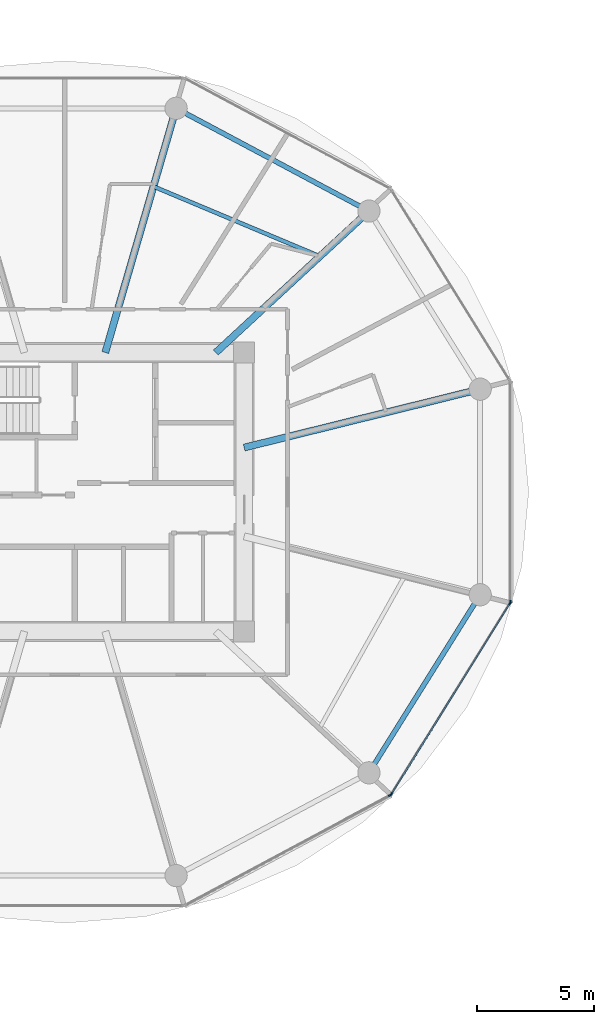
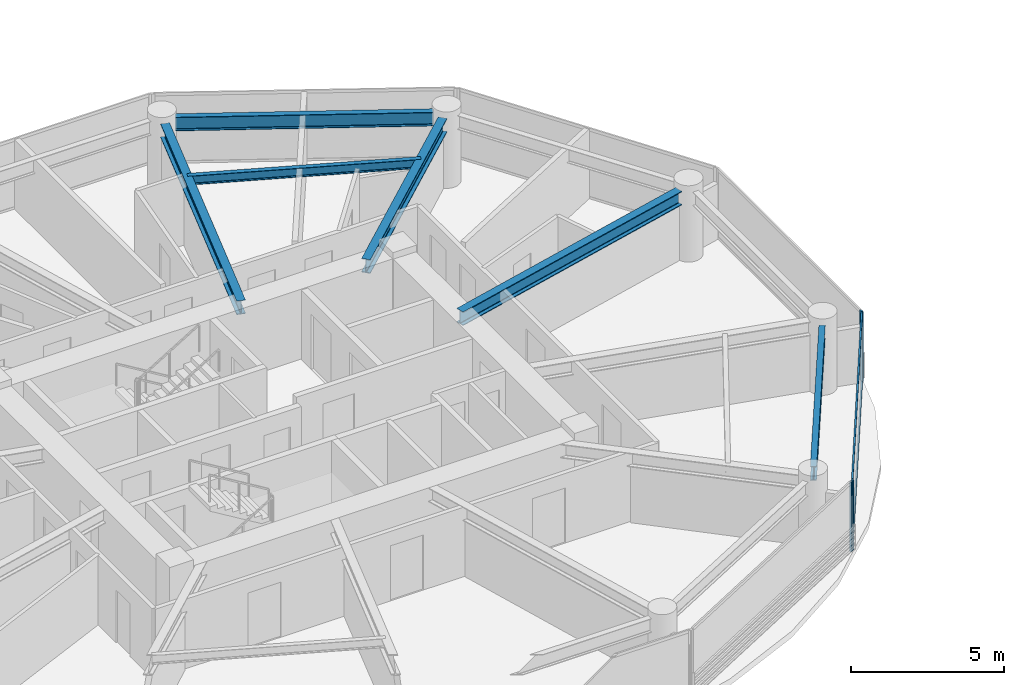
# One storey, part 5 of 27: 6 beams, 6 members, 3 elements without a shape of their own.
"""IFC4 building model written with IfcOpenShell, lengths in metres."""

import ifcopenshell
import ifcopenshell.guid

model = None  # the IFC model being written
_history = None  # IfcOwnerHistory: only IFC2X3 demands one
_inside = {}  # id of a spatial element -> (the spatial element, [elements in it])
_under = {}  # id of a project, library or spatial element -> (it, [spatial elements below it])
_declared = {}  # id of a project -> (the project, [libraries it declares])
_typed = {}  # id of a type object -> (the type object, [elements of that type])
_made_of = {}  # id of a material, layer set ... -> (it, [elements and type objects made of it])


def new_model(schema):
    """Start an empty IFC model of exactly this schema.

    Asked for "IFC4X3", IfcOpenShell would pick the latest addendum, in which some entities
    have other attributes; the version numbers below select the first issue.
    IFC2X3 requires an IfcOwnerHistory on every rooted entity: one is made here for all.
    """
    global model, _history
    if schema == "IFC4X3":
        model = ifcopenshell.file(schema_version=(4, 3, 0, 0))
    else:
        model = ifcopenshell.file(schema=schema)
    _inside.clear()
    _under.clear()
    _declared.clear()
    _typed.clear()
    _made_of.clear()
    _history = None
    if model.schema == "IFC2X3":
        org = make("IfcOrganization", Name="unknown")
        user = make(
            "IfcPersonAndOrganization",
            ThePerson=make("IfcPerson", FamilyName="unknown"),
            TheOrganization=org,
        )
        app = make(
            "IfcApplication",
            ApplicationDeveloper=org,
            Version="unknown",
            ApplicationFullName="unknown",
            ApplicationIdentifier="unknown",
        )
        _history = make(
            "IfcOwnerHistory",
            OwningUser=user,
            OwningApplication=app,
            ChangeAction="ADDED",
            CreationDate=0,
        )
    return model


def make(cls, **values):
    """One entity of the class cls with the attributes given. An attribute that is None is left unset."""
    return model.create_entity(
        cls, **{name: value for name, value in values.items() if value is not None}
    )


def rooted(cls, **values):
    """An entity with a GlobalId (a new one), such as an element, a storey or a relation."""
    return make(cls, GlobalId=ifcopenshell.guid.new(), OwnerHistory=_history, **values)


def si_unit(unit_type, name, prefix=None):
    """IfcSIUnit, for example si_unit("LENGTHUNIT", "METRE", prefix="MILLI")."""
    return make("IfcSIUnit", UnitType=unit_type, Prefix=prefix, Name=name)


def assignment(units):
    """IfcUnitAssignment: the units of a project."""
    return None if units is None else make("IfcUnitAssignment", Units=units)


def point(xyz):
    """IfcCartesianPoint."""
    return None if xyz is None else make("IfcCartesianPoint", Coordinates=xyz)


def direction(xyz):
    """IfcDirection."""
    return None if xyz is None else make("IfcDirection", DirectionRatios=xyz)


def frame(location, z_axis=None, x_axis=None):
    """IfcAxis2Placement3D, a coordinate frame: its origin and axes. An axis left out is left unset."""
    return make(
        "IfcAxis2Placement3D",
        Location=point(location),
        Axis=direction(z_axis),
        RefDirection=direction(x_axis),
    )


def frame_2d(location, x_axis=None):
    """IfcAxis2Placement2D, a coordinate frame in the plane: its origin and x axis."""
    return make(
        "IfcAxis2Placement2D", Location=point(location), RefDirection=direction(x_axis)
    )


def origin():
    """The frame at (0, 0, 0) with its axes left unset."""
    return frame((0.0, 0.0, 0.0))


def origin_2d():
    """The frame at (0, 0) in the plane with its x axis left unset."""
    return frame_2d((0.0, 0.0))


def place(relative_to, where):
    """IfcLocalPlacement: puts the frame where relative to a parent placement (None: the world)."""
    return make(
        "IfcLocalPlacement", PlacementRelTo=relative_to, RelativePlacement=where
    )


def context(
    kind, dimensions, precision=None, world=None, true_north=None, identifier=None
):
    """IfcGeometricRepresentationContext, for example the 3D "Model" context."""
    return make(
        "IfcGeometricRepresentationContext",
        ContextIdentifier=identifier,
        ContextType=kind,
        CoordinateSpaceDimension=dimensions,
        Precision=precision,
        WorldCoordinateSystem=world,
        TrueNorth=true_north,
    )


def subcontext(parent, identifier, kind, view, scale=None):
    """IfcGeometricRepresentationSubContext, for example "Body" below "Model"."""
    return make(
        "IfcGeometricRepresentationSubContext",
        ContextIdentifier=identifier,
        ContextType=kind,
        ParentContext=parent,
        TargetScale=scale,
        TargetView=view,
    )


def project(units=None, contexts=None):
    """IfcProject with its units and contexts."""
    return rooted(
        "IfcProject",
        Name="project",
        RepresentationContexts=contexts,
        UnitsInContext=assignment(units),
    )


def spatial(cls, under=None, at=None, **own):
    """A site, building, storey or space (cls), placed at a placement, below another one or the project."""
    s = rooted(cls, ObjectPlacement=at, **own)
    if under is not None:
        _under.setdefault(under.id(), (under, []))[1].append(s)
    return s


def profile(cls, at=None, kind="AREA", **sizes):
    """A parametric profile (cls). Its sizes go by their IFC names, for example OverallWidth=200.0."""
    return make(cls, ProfileType=kind, Position=at, **sizes)


def rectangle(**sizes):
    """IfcRectangleProfileDef."""
    return profile("IfcRectangleProfileDef", **sizes)


def i_section(**sizes):
    """IfcIShapeProfileDef."""
    return profile("IfcIShapeProfileDef", **sizes)


def extrude(swept, where, along, depth):
    """IfcExtrudedAreaSolid: the profile swept, set in the frame where, extruded along a direction by depth."""
    return make(
        "IfcExtrudedAreaSolid",
        SweptArea=swept,
        Position=where,
        ExtrudedDirection=direction(along),
        Depth=depth,
    )


def shape(context_of_items, identifier, shape_type, items):
    """IfcShapeRepresentation: the items that make up one representation, for example the "Body"."""
    return make(
        "IfcShapeRepresentation",
        ContextOfItems=context_of_items,
        RepresentationIdentifier=identifier,
        RepresentationType=shape_type,
        Items=items,
    )


def source(mapping_origin, context_of_items, identifier, shape_type, items):
    """IfcRepresentationMap: a shape defined once, which mapped items show again and again."""
    return make(
        "IfcRepresentationMap",
        MappingOrigin=mapping_origin,
        MappedRepresentation=shape(context_of_items, identifier, shape_type, items),
    )


def transform(
    local_origin,
    x_axis=None,
    y_axis=None,
    z_axis=None,
    scale=None,
    scale2=None,
    scale3=None,
    uniform=True,
):
    """IfcCartesianTransformationOperator3D, or its non-uniform kind. x_axis, y_axis, z_axis: its Axis1, 2, 3."""
    if uniform:
        return make(
            "IfcCartesianTransformationOperator3D",
            Axis1=direction(x_axis),
            Axis2=direction(y_axis),
            LocalOrigin=point(local_origin),
            Scale=scale,
            Axis3=direction(z_axis),
        )
    return make(
        "IfcCartesianTransformationOperator3DnonUniform",
        Axis1=direction(x_axis),
        Axis2=direction(y_axis),
        LocalOrigin=point(local_origin),
        Scale=scale,
        Axis3=direction(z_axis),
        Scale2=scale2,
        Scale3=scale3,
    )


def mapped(mapping_source, mapping_target):
    """IfcMappedItem: shows the shape of a source again, moved by a transform."""
    return make(
        "IfcMappedItem", MappingSource=mapping_source, MappingTarget=mapping_target
    )


def material(Name=None, Category=None):
    """IfcMaterial."""
    return make("IfcMaterial", Name=Name, Category=Category)


def layer(
    of_material, thickness, ventilated=None, Name=None, Category=None, Priority=None
):
    """IfcMaterialLayer: one layer of a wall or slab, of a material (None: an air gap)."""
    return make(
        "IfcMaterialLayer",
        Material=of_material,
        LayerThickness=thickness,
        IsVentilated=ventilated,
        Name=Name,
        Category=Category,
        Priority=Priority,
    )


def layer_set(layers, Name=None):
    """IfcMaterialLayerSet."""
    return make("IfcMaterialLayerSet", MaterialLayers=layers, LayerSetName=Name)


def material_profile(
    of_material, cross_section, Name=None, Category=None, Priority=None
):
    """IfcMaterialProfile: a cross section and its material."""
    return make(
        "IfcMaterialProfile",
        Name=Name,
        Material=of_material,
        Profile=cross_section,
        Priority=Priority,
        Category=Category,
    )


def profile_set(profiles, Name=None, composite=None):
    """IfcMaterialProfileSet."""
    return make(
        "IfcMaterialProfileSet",
        Name=Name,
        MaterialProfiles=profiles,
        CompositeProfile=composite,
    )


def made_of(thing, what):
    """Note that an element or type object is made of a material, layer set ...; save() writes the relation."""
    if what is not None:
        _made_of.setdefault(what.id(), (what, []))[1].append(thing)
    return thing


def type_object(cls, material=None, **own):
    """A type object (cls), such as IfcWallType, which elements share."""
    return made_of(rooted(cls, **own), material)


def type_shapes(of_type, sources):
    """Give a type object the sources (RepresentationMaps) that its elements show as mapped items."""
    of_type.RepresentationMaps = sources


def element(
    cls,
    number,
    at=None,
    inside=None,
    cuts=None,
    type_object=None,
    material=None,
    context=None,
    identifier="Body",
    shape_type=None,
    held_by="IfcProductDefinitionShape",
    body=None,
    shapes=None,
    **own,
):
    """One element of the class cls, such as IfcWall. Its Tag is "e" and its number.

    at: its placement. inside: the storey or other place that contains it. cuts: it is an
    opening in that element (IfcRelVoidsElement). A single representation is given by context,
    identifier, shape_type and body (its items); several are given by shapes. held_by: the class
    of the entity that holds the representations. save() writes the other relations.
    """
    e = rooted(cls, Tag="e%d" % number, ObjectPlacement=at, **own)
    if body is not None:
        shapes = [shape(context, identifier, shape_type, body)]
    if shapes is not None:
        e.Representation = make(held_by, Representations=shapes)
    if inside is not None:
        _inside.setdefault(inside.id(), (inside, []))[1].append(e)
    if cuts is not None:
        rooted(
            "IfcRelVoidsElement", RelatingBuildingElement=cuts, RelatedOpeningElement=e
        )
    if type_object is not None:
        _typed.setdefault(type_object.id(), (type_object, []))[1].append(e)
    return made_of(e, material)


def aggregate(whole, parts):
    """IfcRelAggregates: a whole, such as a stair, and the parts it consists of."""
    return rooted("IfcRelAggregates", RelatingObject=whole, RelatedObjects=parts)


def save(model, path):
    """Write the relations noted so far, then the file.

    IfcRelAggregates (storeys below a building ...), IfcRelContainedInSpatialStructure (elements
    in a storey), IfcRelDefinesByType, IfcRelAssociatesMaterial and IfcRelDeclares: one each for
    every whole, place, type object, material and project.
    """
    for whole, parts in _under.values():
        aggregate(whole, parts)
    for where, things in _inside.values():
        rooted(
            "IfcRelContainedInSpatialStructure",
            RelatedElements=things,
            RelatingStructure=where,
        )
    for kind, things in _typed.values():
        rooted("IfcRelDefinesByType", RelatedObjects=things, RelatingType=kind)
    for what, things in _made_of.values():
        rooted("IfcRelAssociatesMaterial", RelatedObjects=things, RelatingMaterial=what)
    for by, libraries in _declared.values():
        rooted("IfcRelDeclares", RelatingContext=by, RelatedDefinitions=libraries)
    model.write(path)


model = new_model("IFC4")

# Units and contexts
model_context = context("Model", 3, precision=1e-05, world=origin(), true_north=direction((0.0, 1.0)))
body_context = subcontext(model_context, "Body", "Model", "MODEL_VIEW")
ifc_project = project(units=[si_unit("LENGTHUNIT", "METRE"), si_unit("AREAUNIT", "SQUARE_METRE"), si_unit("VOLUMEUNIT", "CUBIC_METRE"), si_unit("PLANEANGLEUNIT", "RADIAN"), si_unit("MASSUNIT", "GRAM", prefix="KILO")], contexts=[model_context])

# Site, building, storey
site_placement = place(None, origin())
site = spatial("IfcSite", under=ifc_project, at=site_placement, CompositionType="ELEMENT")
building_placement = place(site_placement, origin())
building = spatial("IfcBuilding", under=site, at=building_placement, Name="Norrkilde Senior Care Towers", CompositionType="ELEMENT")
storey_placement = place(building_placement, frame((0.0, 0.0, 33.800048828125)))
storey = spatial("IfcBuildingStorey", under=building, at=storey_placement, Name="L09", CompositionType="ELEMENT", Elevation=33.800048828125)

# Beams
ifc_material_1 = material(Name="Steel S355", Category="steel")
ifc_material_profile_1 = material_profile(ifc_material_1, i_section(OverallWidth=0.2099609375, OverallDepth=0.550048828125, WebThickness=0.010986328125, FlangeThickness=0.01708984375, FilletRadius=0.02392578125, at=origin_2d()), Name="IPE 550")
ifc_profile_set_1 = profile_set([ifc_material_profile_1], Name="Steel S355")
beam_type_1 = type_object("IfcBeamType", Name="Perimeter Ring Spandrel Z1 IPE550", PredefinedType="SPANDREL", material=ifc_profile_set_1)
shared_shape_1 = source(origin(), body_context, "Body", "SweptSolid", [
    extrude(i_section(OverallWidth=0.2099609375, OverallDepth=0.550048828125, WebThickness=0.010986328125, FlangeThickness=0.01708984375, FilletRadius=0.02392578125, at=origin_2d()), origin(), (0.0, 0.0, 1.0), 8.090576171875),
])
beam_1_placement = place(storey_placement, frame((-14.7939453125, -11.61669921875, 2.514892578125), z_axis=(0.530004364821, 0.84799491347, 0.0), x_axis=(-0.84799491347, 0.530004364821, 0.0)))
element("IfcBeam", 1, at=beam_1_placement, inside=storey, type_object=beam_type_1, Name="L09 Drum W Perimeter Spandrel 11", PredefinedType="SPANDREL", context=body_context, shape_type="MappedRepresentation", body=[
    mapped(shared_shape_1, transform((0.0, 0.0, 0.0), x_axis=(1.0, 0.0, 0.0), y_axis=(0.0, 1.0, 0.0), z_axis=(0.0, 0.0, 1.0), scale=1.0)),
])
ifc_material_profile_2 = material_profile(ifc_material_1, i_section(OverallWidth=0.300048828125, OverallDepth=0.550048828125, WebThickness=0.014892578125, FlangeThickness=0.029052734375, FilletRadius=0.027099609375, at=origin_2d()), Name="HEB 550")
ifc_profile_set_2 = profile_set([ifc_material_profile_2], Name="Steel S355")
beam_type_2 = type_object("IfcBeamType", Name="Radial Floor Beam Z1 HEB550", PredefinedType="BEAM", material=ifc_profile_set_2)
shared_shape_2 = source(origin(), body_context, "Body", "SweptSolid", [
    extrude(i_section(OverallWidth=0.300048828125, OverallDepth=0.550048828125, WebThickness=0.014892578125, FlangeThickness=0.029052734375, FilletRadius=0.027099609375, at=origin_2d()), origin(), (0.0, 0.0, 1.0), 9.94384765625),
])
beam_2_placement = place(storey_placement, frame((-20.35009765625, 1.893310546875, 2.514892578125), z_axis=(0.970707425182, 0.240264634718, 0.0), x_axis=(-0.240264634718, 0.970707425182, 0.0)))
element("IfcBeam", 2, at=beam_2_placement, inside=storey, type_object=beam_type_2, Name="L09 Drum W Radial Floor Beam 01", PredefinedType="BEAM", context=body_context, shape_type="MappedRepresentation", body=[
    mapped(shared_shape_2, transform((0.0, 0.0, 0.0), x_axis=(1.0, 0.0, 0.0), y_axis=(0.0, 1.0, 0.0), z_axis=(0.0, 0.0, 1.0), scale=1.0)),
])
shared_shape_3 = source(origin(), body_context, "Body", "SweptSolid", [
    extrude(i_section(OverallWidth=0.2099609375, OverallDepth=0.550048828125, WebThickness=0.010986328125, FlangeThickness=0.01708984375, FilletRadius=0.02392578125, at=origin_2d()), origin(), (0.0, 0.0, 1.0), 8.452880859375),
])
type_shapes(beam_type_1, [shared_shape_1, shared_shape_3])
beam_3_placement = place(storey_placement, frame((-15.408447265625, 12.190185546875, 2.514892578125), z_axis=(-0.882368931134, 0.470558252898, 0.0), x_axis=(-0.470558252898, -0.882368931134, 0.0)))
element("IfcBeam", 3, at=beam_3_placement, inside=storey, type_object=beam_type_1, Name="L09 Drum W Perimeter Spandrel 02", PredefinedType="SPANDREL", context=body_context, shape_type="MappedRepresentation", body=[
    mapped(shared_shape_3, transform((0.0, 0.0, 0.0), x_axis=(1.0, 0.0, 0.0), y_axis=(0.0, 1.0, 0.0), z_axis=(0.0, 0.0, 1.0), scale=1.0)),
])
shared_shape_4 = source(origin(), body_context, "Body", "SweptSolid", [
    extrude(i_section(OverallWidth=0.300048828125, OverallDepth=0.550048828125, WebThickness=0.014892578125, FlangeThickness=0.029052734375, FilletRadius=0.027099609375, at=origin_2d()), origin(), (0.0, 0.0, 1.0), 8.459716796875),
])
beam_4_placement = place(storey_placement, frame((-21.55859375, 5.949951171875, 2.514892578125), z_axis=(0.734573269108, 0.678529374686, 0.0), x_axis=(-0.678529374686, 0.734573269108, 0.0)))
element("IfcBeam", 4, at=beam_4_placement, inside=storey, type_object=beam_type_2, Name="L09 Drum W Radial Floor Beam 02", PredefinedType="BEAM", context=body_context, shape_type="MappedRepresentation", body=[
    mapped(shared_shape_4, transform((0.0, 0.0, 0.0), x_axis=(1.0, 0.0, 0.0), y_axis=(0.0, 1.0, 0.0), z_axis=(0.0, 0.0, 1.0), scale=1.0)),
])
shared_shape_5 = source(origin(), body_context, "Body", "SweptSolid", [
    extrude(i_section(OverallWidth=0.300048828125, OverallDepth=0.550048828125, WebThickness=0.014892578125, FlangeThickness=0.029052734375, FilletRadius=0.027099609375, at=origin_2d()), origin(), (0.0, 0.0, 1.0), 10.4169921875),
])
type_shapes(beam_type_2, [shared_shape_2, shared_shape_4, shared_shape_5])
beam_5_placement = place(storey_placement, frame((-26.27392578125, 5.949951171875, 2.514892578125), z_axis=(0.278591250785, 0.960409764104, 0.0), x_axis=(-0.960409764104, 0.278591250785, 0.0)))
element("IfcBeam", 5, at=beam_5_placement, inside=storey, type_object=beam_type_2, Name="L09 Drum W Radial Floor Beam 03", PredefinedType="BEAM", context=body_context, shape_type="MappedRepresentation", body=[
    mapped(shared_shape_5, transform((0.0, 0.0, 0.0), x_axis=(1.0, 0.0, 0.0), y_axis=(0.0, 1.0, 0.0), z_axis=(0.0, 0.0, 1.0), scale=1.0)),
])
ifc_material_profile_3 = material_profile(ifc_material_1, i_section(OverallWidth=0.169921875, OverallDepth=0.360107421875, WebThickness=0.008056640625, FlangeThickness=0.0126953125, FilletRadius=0.01806640625, at=origin_2d()), Name="IPE 360")
ifc_profile_set_3 = profile_set([ifc_material_profile_3], Name="Steel S355")
beam_type_3 = type_object("IfcBeamType", Name="Secondary Floor Joist IPE360", PredefinedType="JOIST", material=ifc_profile_set_3)
shared_shape_6 = source(origin(), body_context, "Body", "SweptSolid", [
    extrude(i_section(OverallWidth=0.169921875, OverallDepth=0.360107421875, WebThickness=0.008056640625, FlangeThickness=0.0126953125, FilletRadius=0.01806640625, at=origin_2d()), origin(), (0.0, 0.0, 1.0), 7.703857421875),
])
type_shapes(beam_type_3, [shared_shape_6])
beam_6_placement = place(storey_placement, frame((-17.115478515625, 10.05419921875, 2.60986328125), z_axis=(-0.921982784465, 0.387230868023, 0.0), x_axis=(-0.387230868023, -0.921982784465, 0.0)))
element("IfcBeam", 6, at=beam_6_placement, inside=storey, type_object=beam_type_3, Name="L09 Drum W Secondary Floor Joist 1", PredefinedType="JOIST", context=body_context, shape_type="MappedRepresentation", body=[
    mapped(shared_shape_6, transform((0.0, 0.0, 0.0), x_axis=(1.0, 0.0, 0.0), y_axis=(0.0, 1.0, 0.0), z_axis=(0.0, 0.0, 1.0), scale=1.0)),
])

# Curtain wall, member
ifc_material_2 = material(Name="Triple Low-E Insulated Glazing", Category="glass")
ifc_layer = layer(ifc_material_2, 0.199951171875)
ifc_layer_set = layer_set([ifc_layer], Name="Triple Low-E Insulated Glazing")
curtain_wall_type = type_object("IfcCurtainWallType", Name="CW2 Zone 1 Memory Care Curtain Wall", PredefinedType="NOTDEFINED", material=ifc_layer_set)
curtain_wall_1_placement = place(storey_placement, origin())
curtain_wall_1 = element("IfcCurtainWall", 7, at=curtain_wall_1_placement, inside=storey, type_object=curtain_wall_type, Name="L09 Drum W Curtain Wall 09", PredefinedType="NOTDEFINED")
ifc_material_3 = material(Name="Anodised Aluminium", Category="aluminium")
ifc_material_profile_4 = material_profile(ifc_material_3, rectangle(XDim=0.06494140625, YDim=0.159912109375, at=origin_2d()), Name="ALU MULL 65x160")
ifc_profile_set_4 = profile_set([ifc_material_profile_4], Name="Anodised Aluminium")
member_type_1 = type_object("IfcMemberType", Name="Curtain Wall Mullion Z1-Z2 65x160", PredefinedType="MULLION", material=ifc_profile_set_4)
shared_shape_7 = source(origin(), body_context, "Body", "SweptSolid", [
    extrude(rectangle(XDim=0.06494140625, YDim=0.159912109375, at=origin_2d()), origin(), (0.0, 0.0, 1.0), 2.7900390625),
])
type_shapes(member_type_1, [shared_shape_7])
member_1_placement = place(storey_placement, frame((-14.11279296875, -12.941162109375, 0.0), z_axis=(0.0, 0.0, 1.0), x_axis=(0.472607802456, -0.881272866403, 0.0)))
member_1 = element("IfcMember", 8, at=member_1_placement, type_object=member_type_1, Name="CW-2 mullion 1", PredefinedType="MULLION", context=body_context, shape_type="MappedRepresentation", body=[
    mapped(shared_shape_7, transform((0.0, 0.0, 0.0), x_axis=(1.0, 0.0, 0.0), y_axis=(0.0, 1.0, 0.0), z_axis=(0.0, 0.0, 1.0), scale=1.0)),
])
aggregate(curtain_wall_1, [member_1])

# Curtain wall, members
curtain_wall_2_placement = place(storey_placement, origin())
curtain_wall_2 = element("IfcCurtainWall", 9, at=curtain_wall_2_placement, inside=storey, type_object=curtain_wall_type, Name="L09 Drum W Curtain Wall 10", PredefinedType="NOTDEFINED")
member_2_placement = place(storey_placement, frame((-9.0078125, -4.7587890625, 0.0), z_axis=(0.0, 0.0, 1.0), x_axis=(0.849305943117, -0.527900951871, 0.0)))
member_2 = element("IfcMember", 10, at=member_2_placement, type_object=member_type_1, Name="CW-2 mullion 1", PredefinedType="MULLION", context=body_context, shape_type="MappedRepresentation", body=[
    mapped(shared_shape_7, transform((0.0, 0.0, 0.0), x_axis=(1.0, 0.0, 0.0), y_axis=(0.0, 1.0, 0.0), z_axis=(0.0, 0.0, 1.0), scale=1.0)),
])
member_3_placement = place(storey_placement, frame((-14.06689453125, -12.898193359375, 0.0), z_axis=(0.0, 0.0, 1.0), x_axis=(0.849305943117, -0.527900951871, 0.0)))
member_3 = element("IfcMember", 11, at=member_3_placement, type_object=member_type_1, Name="CW-2 mullion 2", PredefinedType="MULLION", context=body_context, shape_type="MappedRepresentation", body=[
    mapped(shared_shape_7, transform((0.0, 0.0, 0.0), x_axis=(1.0, 0.0, 0.0), y_axis=(0.0, 1.0, 0.0), z_axis=(0.0, 0.0, 1.0), scale=1.0)),
])

# Curtain wall, member
curtain_wall_3_placement = place(storey_placement, origin())
curtain_wall_3 = element("IfcCurtainWall", 12, at=curtain_wall_3_placement, inside=storey, type_object=curtain_wall_type, Name="L09 Drum W Curtain Wall 11", PredefinedType="NOTDEFINED")
member_4_placement = place(storey_placement, frame((-8.990478515625, -4.69873046875, 0.0), z_axis=(0.0, 0.0, 1.0), x_axis=(1.0, 0.0, 0.0)))
member_4 = element("IfcMember", 13, at=member_4_placement, type_object=member_type_1, Name="CW-2 mullion 2", PredefinedType="MULLION", context=body_context, shape_type="MappedRepresentation", body=[
    mapped(shared_shape_7, transform((0.0, 0.0, 0.0), x_axis=(1.0, 0.0, 0.0), y_axis=(0.0, 1.0, 0.0), z_axis=(0.0, 0.0, 1.0), scale=1.0)),
])
aggregate(curtain_wall_3, [member_4])

# Member
ifc_material_profile_5 = material_profile(ifc_material_3, rectangle(XDim=0.06005859375, YDim=0.1201171875, at=origin_2d()), Name="ALU TRAN 60x120")
ifc_profile_set_5 = profile_set([ifc_material_profile_5], Name="Anodised Aluminium")
member_type_2 = type_object("IfcMemberType", Name="Curtain Wall Transom Typical 60x120", PredefinedType="USERDEFINED", material=ifc_profile_set_5)
shared_shape_8 = source(origin(), body_context, "Body", "SweptSolid", [
    extrude(rectangle(XDim=0.06005859375, YDim=0.1201171875, at=origin_2d()), origin(), (0.0, 0.0, 1.0), 9.5185546875),
])
type_shapes(member_type_2, [shared_shape_8])
member_5_placement = place(storey_placement, frame((-9.02490234375, -4.786376953125, 0.030029296875), z_axis=(-0.527901620669, -0.849305527413, 0.0), x_axis=(0.849305527413, -0.527901620669, 0.0)))
member_5 = element("IfcMember", 14, at=member_5_placement, type_object=member_type_2, Name="CW-2 transom 1.1", ObjectType="TRANSOM", PredefinedType="USERDEFINED", context=body_context, shape_type="MappedRepresentation", body=[
    mapped(shared_shape_8, transform((0.0, 0.0, 0.0), x_axis=(1.0, 0.0, 0.0), y_axis=(0.0, 1.0, 0.0), z_axis=(0.0, 0.0, 1.0), scale=1.0)),
])

member_6_placement = place(storey_placement, frame((-9.02490234375, -4.786376953125, 2.760009765625), z_axis=(-0.527901620669, -0.849305527413, 0.0), x_axis=(0.849305527413, -0.527901620669, 0.0)))
member_6 = element("IfcMember", 15, at=member_6_placement, type_object=member_type_2, Name="CW-2 transom 1.2", ObjectType="TRANSOM", PredefinedType="USERDEFINED", context=body_context, shape_type="MappedRepresentation", body=[
    mapped(shared_shape_8, transform((0.0, 0.0, 0.0), x_axis=(1.0, 0.0, 0.0), y_axis=(0.0, 1.0, 0.0), z_axis=(0.0, 0.0, 1.0), scale=1.0)),
])

aggregate(curtain_wall_2, [member_2, member_3, member_5, member_6])

save(model, "model.ifc")
